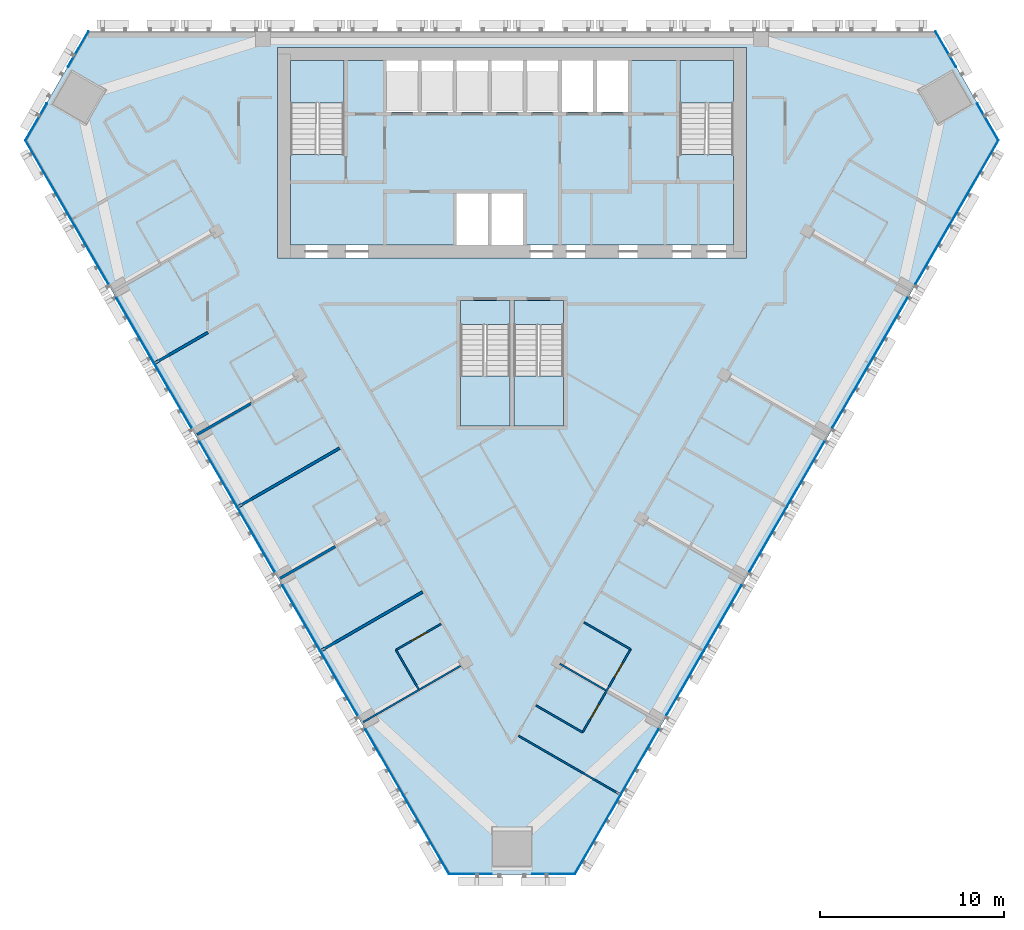
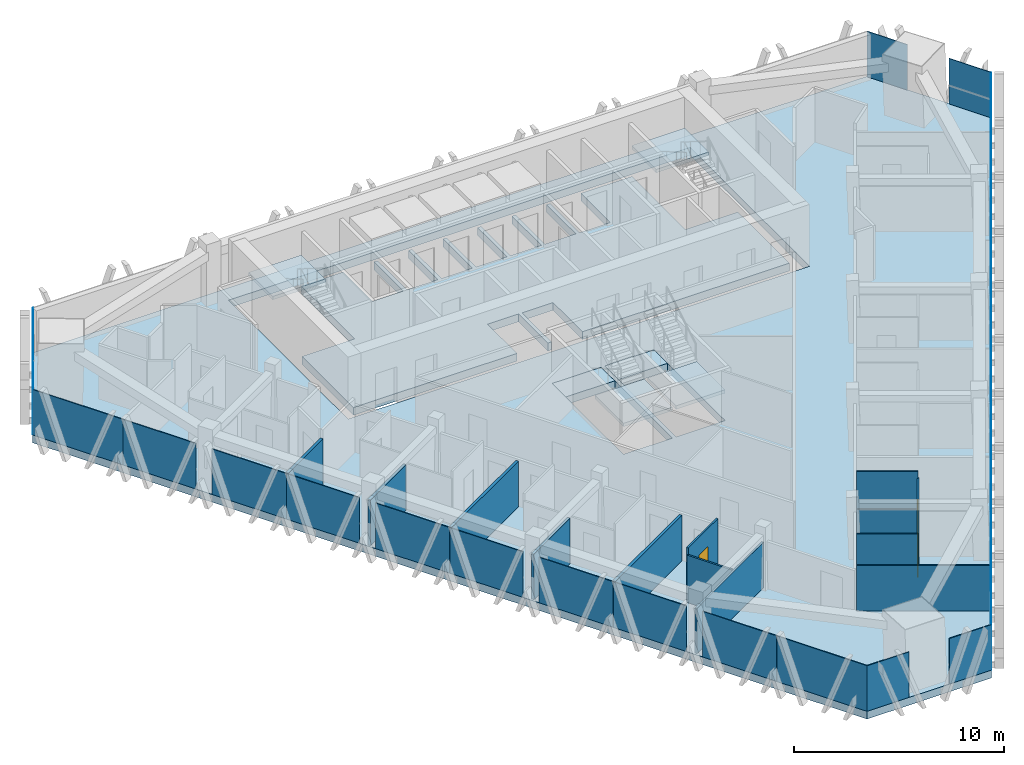
# One storey, part 8 of 16: 26 plates, 13 walls, 8 slabs, 3 doors, 3 openings, 9 elements without a shape of their own.
"""IFC4 building model written with IfcOpenShell, lengths in metres."""

from ifc_helpers import new_model, si_unit, direction, frame, frame_2d, origin, origin_2d, place, context, subcontext, project, spatial, polyline, rectangle, outline, extrude, material, layer, layer_set, type_object, element, fill, aggregate, save


model = new_model("IFC4")

# Units and contexts
model_context = context("Model", 3, precision=1e-05, world=origin(), true_north=direction((0.0, 1.0)))
body_context = subcontext(model_context, "Body", "Model", "MODEL_VIEW")
ifc_project = project(units=[si_unit("LENGTHUNIT", "METRE"), si_unit("AREAUNIT", "SQUARE_METRE"), si_unit("VOLUMEUNIT", "CUBIC_METRE"), si_unit("PLANEANGLEUNIT", "RADIAN"), si_unit("MASSUNIT", "GRAM", prefix="KILO")], contexts=[model_context])

# Site, building, storey
site_placement = place(None, origin())
site = spatial("IfcSite", under=ifc_project, at=site_placement, CompositionType="ELEMENT")
building_placement = place(site_placement, origin())
building = spatial("IfcBuilding", under=site, at=building_placement, Name="Altiplano Prism Tower", CompositionType="ELEMENT")
storey_placement = place(building_placement, frame((0.0, 0.0, 174.60009765625)))
storey = spatial("IfcBuildingStorey", under=building, at=storey_placement, Name="L45", CompositionType="ELEMENT", Elevation=174.60009765625)

# Curtain wall, plates
ifc_material_1 = material(Name="Aluminium and glass", Category="aluminium")
ifc_layer_1 = layer(ifc_material_1, 0.280029296875)
ifc_layer_set_1 = layer_set([ifc_layer_1], Name="Aluminium and glass")
curtain_wall_type = type_object("IfcCurtainWallType", Name="CW1 typical co-living unitised curtain wall", PredefinedType="NOTDEFINED", material=ifc_layer_set_1)
curtain_wall_1_placement = place(storey_placement, origin())
curtain_wall_1 = element("IfcCurtainWall", 1, at=curtain_wall_1_placement, inside=storey, type_object=curtain_wall_type, Name="CW1 curtain wall north-west chamfer L45", PredefinedType="NOTDEFINED")
ifc_material_2 = material(Name="Clear glass", Category="glass")
ifc_layer_2 = layer(ifc_material_2, 0.0400390625)
ifc_layer_set_2 = layer_set([ifc_layer_2], Name="Clear glass")
plate_type = type_object("IfcPlateType", Name="CW1 insulated glass unit 40", PredefinedType="CURTAIN_PANEL", material=ifc_layer_set_2)
plate_1_placement = place(storey_placement, frame((61.487060546875, 104.01904296875, 0.0), z_axis=(0.0, 0.0, 1.0), x_axis=(-0.500000020073, -0.866025392195, 0.0)))
plate_1 = element("IfcPlate", 2, at=plate_1_placement, type_object=plate_type, Name="CW1 panel", PredefinedType="CURTAIN_PANEL", context=body_context, shape_type="SweptSolid", body=[
    extrude(rectangle(XDim=2.232177734375, YDim=0.0400390625, at=origin_2d()), origin(), (0.0, 0.0, 1.0), 2.64990234375),
])
plate_2_placement = place(storey_placement, frame((59.2060546875, 100.068359375, 0.0), z_axis=(0.0, 0.0, 1.0), x_axis=(-0.500000020073, -0.866025392195, 0.0)))
plate_2 = element("IfcPlate", 3, at=plate_2_placement, type_object=plate_type, Name="CW1 panel", PredefinedType="CURTAIN_PANEL", context=body_context, shape_type="SweptSolid", body=[
    extrude(rectangle(XDim=2.312255859375, YDim=0.0400390625, at=origin_2d()), origin(), (0.0, 0.0, 1.0), 2.64990234375),
])
aggregate(curtain_wall_1, [plate_1, plate_2])

curtain_wall_2_placement = place(storey_placement, origin())
curtain_wall_2 = element("IfcCurtainWall", 4, at=curtain_wall_2_placement, inside=storey, type_object=curtain_wall_type, Name="CW1 curtain wall south-west face L45", PredefinedType="NOTDEFINED")
plate_3_placement = place(storey_placement, frame((59.867919921875, 96.9306640625, 0.0), z_axis=(0.0, 0.0, 1.0), x_axis=(0.499999994181, -0.866025407144, 0.0)))
plate_3 = element("IfcPlate", 5, at=plate_3_placement, type_object=plate_type, Name="CW1 panel", PredefinedType="CURTAIN_PANEL", context=body_context, shape_type="SweptSolid", body=[
    extrude(rectangle(XDim=4.959716796875, YDim=0.0400390625, at=origin_2d()), origin(), (0.0, 0.0, 1.0), 2.64990234375),
])
plate_4_placement = place(storey_placement, frame((62.115478515625, 93.037841796875, 0.0), z_axis=(0.0, 0.0, 1.0), x_axis=(0.499999994181, -0.866025407144, 0.0)))
plate_4 = element("IfcPlate", 6, at=plate_4_placement, type_object=plate_type, Name="CW1 panel", PredefinedType="CURTAIN_PANEL", context=body_context, shape_type="SweptSolid", body=[
    extrude(rectangle(XDim=4.010498046875, YDim=0.0400390625, at=origin_2d()), origin(), (0.0, 0.0, 1.0), 2.64990234375),
])
plate_5_placement = place(storey_placement, frame((64.58544921875, 88.759765625, 0.0), z_axis=(0.0, 0.0, 1.0), x_axis=(0.499999994181, -0.866025407144, 0.0)))
plate_5 = element("IfcPlate", 7, at=plate_5_placement, type_object=plate_type, Name="CW1 panel", PredefinedType="CURTAIN_PANEL", context=body_context, shape_type="SweptSolid", body=[
    extrude(rectangle(XDim=4.08935546875, YDim=0.0400390625, at=origin_2d()), origin(), (0.0, 0.0, 1.0), 2.64990234375),
])
plate_6_placement = place(storey_placement, frame((66.615478515625, 85.24365234375, 0.0), z_axis=(0.0, 0.0, 1.0), x_axis=(0.499999994181, -0.866025407144, 0.0)))
plate_6 = element("IfcPlate", 8, at=plate_6_placement, type_object=plate_type, Name="CW1 panel", PredefinedType="CURTAIN_PANEL", context=body_context, shape_type="SweptSolid", body=[
    extrude(rectangle(XDim=4.010498046875, YDim=0.0400390625, at=origin_2d()), origin(), (0.0, 0.0, 1.0), 2.64990234375),
])
plate_7_placement = place(storey_placement, frame((69.08544921875, 80.965576171875, 0.0), z_axis=(0.0, 0.0, 1.0), x_axis=(0.499999994181, -0.866025407144, 0.0)))
plate_7 = element("IfcPlate", 9, at=plate_7_placement, type_object=plate_type, Name="CW1 panel", PredefinedType="CURTAIN_PANEL", context=body_context, shape_type="SweptSolid", body=[
    extrude(rectangle(XDim=4.08935546875, YDim=0.0400390625, at=origin_2d()), origin(), (0.0, 0.0, 1.0), 2.64990234375),
])
plate_8_placement = place(storey_placement, frame((71.115478515625, 77.449462890625, 0.0), z_axis=(0.0, 0.0, 1.0), x_axis=(0.499999994181, -0.866025407144, 0.0)))
plate_8 = element("IfcPlate", 10, at=plate_8_placement, type_object=plate_type, Name="CW1 panel", PredefinedType="CURTAIN_PANEL", context=body_context, shape_type="SweptSolid", body=[
    extrude(rectangle(XDim=4.010498046875, YDim=0.0400390625, at=origin_2d()), origin(), (0.0, 0.0, 1.0), 2.64990234375),
])
plate_9_placement = place(storey_placement, frame((73.58544921875, 73.171142578125, 0.0), z_axis=(0.0, 0.0, 1.0), x_axis=(0.499999994181, -0.866025407144, 0.0)))
plate_9 = element("IfcPlate", 11, at=plate_9_placement, type_object=plate_type, Name="CW1 panel", PredefinedType="CURTAIN_PANEL", context=body_context, shape_type="SweptSolid", body=[
    extrude(rectangle(XDim=4.08935546875, YDim=0.0400390625, at=origin_2d()), origin(), (0.0, 0.0, 1.0), 2.64990234375),
])
plate_10_placement = place(storey_placement, frame((75.615478515625, 69.6552734375, 0.0), z_axis=(0.0, 0.0, 1.0), x_axis=(0.499999994181, -0.866025407144, 0.0)))
plate_10 = element("IfcPlate", 12, at=plate_10_placement, type_object=plate_type, Name="CW1 panel", PredefinedType="CURTAIN_PANEL", context=body_context, shape_type="SweptSolid", body=[
    extrude(rectangle(XDim=4.010498046875, YDim=0.0400390625, at=origin_2d()), origin(), (0.0, 0.0, 1.0), 2.64990234375),
])
plate_11_placement = place(storey_placement, frame((78.08544921875, 65.376953125, 0.0), z_axis=(0.0, 0.0, 1.0), x_axis=(0.499999994181, -0.866025407144, 0.0)))
plate_11 = element("IfcPlate", 13, at=plate_11_placement, type_object=plate_type, Name="CW1 panel", PredefinedType="CURTAIN_PANEL", context=body_context, shape_type="SweptSolid", body=[
    extrude(rectangle(XDim=4.08935546875, YDim=0.0400390625, at=origin_2d()), origin(), (0.0, 0.0, 1.0), 2.64990234375),
])
plate_12_placement = place(storey_placement, frame((80.352783203125, 61.449951171875, 0.0), z_axis=(0.0, 0.0, 1.0), x_axis=(0.499999994181, -0.866025407144, 0.0)))
plate_12 = element("IfcPlate", 14, at=plate_12_placement, type_object=plate_type, Name="CW1 panel", PredefinedType="CURTAIN_PANEL", context=body_context, shape_type="SweptSolid", body=[
    extrude(rectangle(XDim=4.959716796875, YDim=0.0400390625, at=origin_2d()), origin(), (0.0, 0.0, 1.0), 2.64990234375),
])
aggregate(curtain_wall_2, [plate_3, plate_4, plate_5, plate_6, plate_7, plate_8, plate_9, plate_10, plate_11, plate_12])

curtain_wall_3_placement = place(storey_placement, origin())
curtain_wall_3 = element("IfcCurtainWall", 15, at=curtain_wall_3_placement, inside=storey, type_object=curtain_wall_type, Name="CW1 curtain wall south chamfer L45", PredefinedType="NOTDEFINED")
plate_13_placement = place(storey_placement, frame((82.739013671875, 59.30810546875, 0.0), z_axis=(0.0, 0.0, 1.0), x_axis=(1.0, 0.0, 0.0)))
plate_13 = element("IfcPlate", 16, at=plate_13_placement, type_object=plate_type, Name="CW1 panel", PredefinedType="CURTAIN_PANEL", context=body_context, shape_type="SweptSolid", body=[
    extrude(rectangle(XDim=2.31201171875, YDim=0.0400390625, at=origin_2d()), origin(), (0.0, 0.0, 1.0), 2.64990234375),
])
plate_14_placement = place(storey_placement, frame((87.260986328125, 59.30810546875, 0.0), z_axis=(0.0, 0.0, 1.0), x_axis=(1.0, 0.0, 0.0)))
plate_14 = element("IfcPlate", 17, at=plate_14_placement, type_object=plate_type, Name="CW1 panel", PredefinedType="CURTAIN_PANEL", context=body_context, shape_type="SweptSolid", body=[
    extrude(rectangle(XDim=2.31201171875, YDim=0.0400390625, at=origin_2d()), origin(), (0.0, 0.0, 1.0), 2.64990234375),
])
aggregate(curtain_wall_3, [plate_13, plate_14])

curtain_wall_4_placement = place(storey_placement, origin())
curtain_wall_4 = element("IfcCurtainWall", 18, at=curtain_wall_4_placement, inside=storey, type_object=curtain_wall_type, Name="CW1 curtain wall south-east face L45", PredefinedType="NOTDEFINED")
plate_15_placement = place(storey_placement, frame((89.647216796875, 61.449951171875, 0.0), z_axis=(0.0, 0.0, 1.0), x_axis=(0.499999994181, 0.866025407144, 0.0)))
plate_15 = element("IfcPlate", 19, at=plate_15_placement, type_object=plate_type, Name="CW1 panel", PredefinedType="CURTAIN_PANEL", context=body_context, shape_type="SweptSolid", body=[
    extrude(rectangle(XDim=4.959716796875, YDim=0.0400390625, at=origin_2d()), origin(), (0.0, 0.0, 1.0), 2.64990234375),
])
plate_16_placement = place(storey_placement, frame((91.91455078125, 65.376953125, 0.0), z_axis=(0.0, 0.0, 1.0), x_axis=(0.499999994181, 0.866025407144, 0.0)))
plate_16 = element("IfcPlate", 20, at=plate_16_placement, type_object=plate_type, Name="CW1 panel", PredefinedType="CURTAIN_PANEL", context=body_context, shape_type="SweptSolid", body=[
    extrude(rectangle(XDim=4.08935546875, YDim=0.0400390625, at=origin_2d()), origin(), (0.0, 0.0, 1.0), 2.64990234375),
])
plate_17_placement = place(storey_placement, frame((94.384521484375, 69.6552734375, 0.0), z_axis=(0.0, 0.0, 1.0), x_axis=(0.499999994181, 0.866025407144, 0.0)))
plate_17 = element("IfcPlate", 21, at=plate_17_placement, type_object=plate_type, Name="CW1 panel", PredefinedType="CURTAIN_PANEL", context=body_context, shape_type="SweptSolid", body=[
    extrude(rectangle(XDim=4.010498046875, YDim=0.0400390625, at=origin_2d()), origin(), (0.0, 0.0, 1.0), 2.64990234375),
])
plate_18_placement = place(storey_placement, frame((96.41455078125, 73.171142578125, 0.0), z_axis=(0.0, 0.0, 1.0), x_axis=(0.499999994181, 0.866025407144, 0.0)))
plate_18 = element("IfcPlate", 22, at=plate_18_placement, type_object=plate_type, Name="CW1 panel", PredefinedType="CURTAIN_PANEL", context=body_context, shape_type="SweptSolid", body=[
    extrude(rectangle(XDim=4.08935546875, YDim=0.0400390625, at=origin_2d()), origin(), (0.0, 0.0, 1.0), 2.64990234375),
])
plate_19_placement = place(storey_placement, frame((98.884521484375, 77.449462890625, 0.0), z_axis=(0.0, 0.0, 1.0), x_axis=(0.499999994181, 0.866025407144, 0.0)))
plate_19 = element("IfcPlate", 23, at=plate_19_placement, type_object=plate_type, Name="CW1 panel", PredefinedType="CURTAIN_PANEL", context=body_context, shape_type="SweptSolid", body=[
    extrude(rectangle(XDim=4.010498046875, YDim=0.0400390625, at=origin_2d()), origin(), (0.0, 0.0, 1.0), 2.64990234375),
])
plate_20_placement = place(storey_placement, frame((100.91455078125, 80.965576171875, 0.0), z_axis=(0.0, 0.0, 1.0), x_axis=(0.499999994181, 0.866025407144, 0.0)))
plate_20 = element("IfcPlate", 24, at=plate_20_placement, type_object=plate_type, Name="CW1 panel", PredefinedType="CURTAIN_PANEL", context=body_context, shape_type="SweptSolid", body=[
    extrude(rectangle(XDim=4.08935546875, YDim=0.0400390625, at=origin_2d()), origin(), (0.0, 0.0, 1.0), 2.64990234375),
])
plate_21_placement = place(storey_placement, frame((103.384521484375, 85.24365234375, 0.0), z_axis=(0.0, 0.0, 1.0), x_axis=(0.499999994181, 0.866025407144, 0.0)))
plate_21 = element("IfcPlate", 25, at=plate_21_placement, type_object=plate_type, Name="CW1 panel", PredefinedType="CURTAIN_PANEL", context=body_context, shape_type="SweptSolid", body=[
    extrude(rectangle(XDim=4.010498046875, YDim=0.0400390625, at=origin_2d()), origin(), (0.0, 0.0, 1.0), 2.64990234375),
])
plate_22_placement = place(storey_placement, frame((105.41455078125, 88.759765625, 0.0), z_axis=(0.0, 0.0, 1.0), x_axis=(0.499999994181, 0.866025407144, 0.0)))
plate_22 = element("IfcPlate", 26, at=plate_22_placement, type_object=plate_type, Name="CW1 panel", PredefinedType="CURTAIN_PANEL", context=body_context, shape_type="SweptSolid", body=[
    extrude(rectangle(XDim=4.08935546875, YDim=0.0400390625, at=origin_2d()), origin(), (0.0, 0.0, 1.0), 2.64990234375),
])
plate_23_placement = place(storey_placement, frame((107.884521484375, 93.037841796875, 0.0), z_axis=(0.0, 0.0, 1.0), x_axis=(0.499999994181, 0.866025407144, 0.0)))
plate_23 = element("IfcPlate", 27, at=plate_23_placement, type_object=plate_type, Name="CW1 panel", PredefinedType="CURTAIN_PANEL", context=body_context, shape_type="SweptSolid", body=[
    extrude(rectangle(XDim=4.010498046875, YDim=0.0400390625, at=origin_2d()), origin(), (0.0, 0.0, 1.0), 2.64990234375),
])
plate_24_placement = place(storey_placement, frame((110.132080078125, 96.930908203125, 0.0), z_axis=(0.0, 0.0, 1.0), x_axis=(0.499999994181, 0.866025407144, 0.0)))
plate_24 = element("IfcPlate", 28, at=plate_24_placement, type_object=plate_type, Name="CW1 panel", PredefinedType="CURTAIN_PANEL", context=body_context, shape_type="SweptSolid", body=[
    extrude(rectangle(XDim=4.959716796875, YDim=0.0400390625, at=origin_2d()), origin(), (0.0, 0.0, 1.0), 2.64990234375),
])
aggregate(curtain_wall_4, [plate_15, plate_16, plate_17, plate_18, plate_19, plate_20, plate_21, plate_22, plate_23, plate_24])

curtain_wall_5_placement = place(storey_placement, origin())
curtain_wall_5 = element("IfcCurtainWall", 29, at=curtain_wall_5_placement, inside=storey, type_object=curtain_wall_type, Name="CW1 curtain wall north-east chamfer L45", PredefinedType="NOTDEFINED")
plate_25_placement = place(storey_placement, frame((110.7939453125, 100.068359375, 0.0), z_axis=(0.0, 0.0, 1.0), x_axis=(-0.500000020073, 0.866025392195, 0.0)))
plate_25 = element("IfcPlate", 30, at=plate_25_placement, type_object=plate_type, Name="CW1 panel", PredefinedType="CURTAIN_PANEL", context=body_context, shape_type="SweptSolid", body=[
    extrude(rectangle(XDim=2.312255859375, YDim=0.0400390625, at=origin_2d()), origin(), (0.0, 0.0, 1.0), 2.64990234375),
])
plate_26_placement = place(storey_placement, frame((108.512939453125, 104.01904296875, 0.0), z_axis=(0.0, 0.0, 1.0), x_axis=(-0.500000020073, 0.866025392195, 0.0)))
plate_26 = element("IfcPlate", 31, at=plate_26_placement, type_object=plate_type, Name="CW1 panel", PredefinedType="CURTAIN_PANEL", context=body_context, shape_type="SweptSolid", body=[
    extrude(rectangle(XDim=2.232177734375, YDim=0.0400390625, at=origin_2d()), origin(), (0.0, 0.0, 1.0), 2.64990234375),
])
aggregate(curtain_wall_5, [plate_25, plate_26])

# Slabs
ifc_material_3 = material(Name="Concrete C40/50", Category="concrete")
ifc_layer_3 = layer(ifc_material_3, 0.449951171875)
ifc_layer_set_3 = layer_set([ifc_layer_3], Name="Concrete C40/50")
slab_type_1 = type_object("IfcSlabType", Name="Core floor slab 450", PredefinedType="FLOOR", material=ifc_layer_set_3)
slab_1_placement = place(storey_placement, frame((0.0, 0.0, -0.4501953125)))
element("IfcSlab", 32, at=slab_1_placement, inside=storey, type_object=slab_type_1, Name="Core floor slab L45", PredefinedType="FLOOR", context=body_context, shape_type="SweptSolid", body=[
    extrude(outline(polyline([(97.0, 98.31005859375), (94.10009765625, 98.31005859375), (94.10009765625, 103.39990234375), (91.300048828125, 103.39990234375), (91.300048828125, 100.60009765625), (89.60009765625, 100.60009765625), (89.60009765625, 103.39990234375), (89.39990234375, 103.39990234375), (89.39990234375, 100.60009765625), (87.699951171875, 100.60009765625), (87.699951171875, 103.39990234375), (87.5, 103.39990234375), (87.5, 100.60009765625), (85.800048828125, 100.60009765625), (85.800048828125, 103.39990234375), (85.60009765625, 103.39990234375), (85.60009765625, 100.60009765625), (83.89990234375, 100.60009765625), (83.89990234375, 103.39990234375), (83.699951171875, 103.39990234375), (83.699951171875, 100.60009765625), (82.0, 100.60009765625), (82.0, 103.39990234375), (81.800048828125, 103.39990234375), (81.800048828125, 100.60009765625), (80.10009765625, 100.60009765625), (80.10009765625, 103.39990234375), (79.89990234375, 103.39990234375), (79.89990234375, 100.60009765625), (78.199951171875, 100.60009765625), (78.199951171875, 103.39990234375), (75.89990234375, 103.39990234375), (75.89990234375, 98.31005859375), (73.0, 98.31005859375), (73.0, 93.39990234375), (82.0, 93.39990234375), (82.0, 96.199951171875), (83.699951171875, 96.199951171875), (83.699951171875, 93.39990234375), (83.89990234375, 93.39990234375), (83.89990234375, 96.199951171875), (85.60009765625, 96.199951171875), (85.60009765625, 93.39990234375), (97.0, 93.39990234375), (97.0, 98.31005859375)])), origin(), (0.0, 0.0, 1.0), 0.4501953125),
])
slab_2_placement = place(storey_placement, frame((0.0, 0.0, -0.4501953125)))
element("IfcSlab", 33, at=slab_2_placement, inside=storey, type_object=slab_type_1, Name="Stair 3A landing slab L45", PredefinedType="FLOOR", context=body_context, shape_type="SweptSolid", body=[
    extrude(outline(polyline([(82.199951171875, 89.096923828125), (84.89990234375, 89.096923828125), (84.89990234375, 90.39990234375), (82.199951171875, 90.39990234375), (82.199951171875, 89.096923828125)])), origin(), (0.0, 0.0, 1.0), 0.4501953125),
])
slab_3_placement = place(storey_placement, frame((0.0, 0.0, -0.4501953125)))
element("IfcSlab", 34, at=slab_3_placement, inside=storey, type_object=slab_type_1, Name="Stair 3B landing slab L45", PredefinedType="FLOOR", context=body_context, shape_type="SweptSolid", body=[
    extrude(outline(polyline([(85.10009765625, 89.096923828125), (87.800048828125, 89.096923828125), (87.800048828125, 90.39990234375), (85.10009765625, 90.39990234375), (85.10009765625, 89.096923828125)])), origin(), (0.0, 0.0, 1.0), 0.4501953125),
])
ifc_layer_4 = layer(ifc_material_3, 0.449951171875)
ifc_layer_set_4 = layer_set([ifc_layer_4], Name="Concrete C40/50")
slab_type_2 = type_object("IfcSlabType", Name="Post-tensioned flat slab 450", PredefinedType="FLOOR", material=ifc_layer_set_4)
slab_4_placement = place(storey_placement, frame((0.0, 0.0, -0.4501953125)))
element("IfcSlab", 35, at=slab_4_placement, inside=storey, type_object=slab_type_2, Name="Floor slab L45", PredefinedType="FLOOR", context=body_context, shape_type="SweptSolid", body=[
    extrude(outline(polyline([(81.577880859375, 59.2880859375), (58.608154296875, 99.07275390625), (62.0302734375, 105.0), (107.9697265625, 105.0), (111.391845703125, 99.07275390625), (88.422119140625, 59.2880859375), (81.577880859375, 59.2880859375)]), holes=[polyline([(72.300048828125, 104.10009765625), (72.300048828125, 92.699951171875), (97.699951171875, 92.699951171875), (97.699951171875, 104.10009765625), (72.300048828125, 104.10009765625)]), polyline([(84.89990234375, 90.39990234375), (82.199951171875, 90.39990234375), (82.199951171875, 83.60009765625), (84.89990234375, 83.60009765625), (84.89990234375, 90.39990234375)]), polyline([(87.800048828125, 83.60009765625), (87.800048828125, 90.39990234375), (85.10009765625, 90.39990234375), (85.10009765625, 83.60009765625), (87.800048828125, 83.60009765625)])]), origin(), (0.0, 0.0, 1.0), 0.4501953125),
])

# Stair, slab
stair_type_1 = type_object("IfcStairType", Name="Exit stair 1400", PredefinedType="HALF_TURN_STAIR", material=ifc_material_3)
stair_1_placement = place(storey_placement, origin())
stair_1 = element("IfcStair", 36, at=stair_1_placement, inside=storey, type_object=stair_type_1, Name="L45 Exit Stair 1", PredefinedType="HALF_TURN_STAIR")
ifc_layer_5 = layer(ifc_material_3, 0.199951171875)
ifc_layer_set_5 = layer_set([ifc_layer_5], Name="Concrete C40/50")
slab_type_3 = type_object("IfcSlabType", Name="Stair landing 200", PredefinedType="LANDING", material=ifc_layer_set_5)
slab_5_placement = place(storey_placement, frame((0.0, 0.0, 1.599853515625)))
slab_5 = element("IfcSlab", 37, at=slab_5_placement, type_object=slab_type_3, Name="ST1 landing 1", PredefinedType="LANDING", context=body_context, shape_type="SweptSolid", body=[
    extrude(outline(polyline([(75.89990234375, 101.096923828125), (75.89990234375, 103.39990234375), (73.0, 103.39990234375), (73.0, 101.096923828125), (75.89990234375, 101.096923828125)])), origin(), (0.0, 0.0, 1.0), 0.199951171875),
])
aggregate(stair_1, [slab_5])

stair_2_placement = place(storey_placement, origin())
stair_2 = element("IfcStair", 38, at=stair_2_placement, inside=storey, type_object=stair_type_1, Name="L45 Exit Stair 2", PredefinedType="HALF_TURN_STAIR")
slab_6_placement = place(storey_placement, frame((0.0, 0.0, 1.599853515625)))
slab_6 = element("IfcSlab", 39, at=slab_6_placement, type_object=slab_type_3, Name="ST2 landing 1", PredefinedType="LANDING", context=body_context, shape_type="SweptSolid", body=[
    extrude(outline(polyline([(97.0, 101.096923828125), (97.0, 103.39990234375), (94.10009765625, 103.39990234375), (94.10009765625, 101.096923828125), (97.0, 101.096923828125)])), origin(), (0.0, 0.0, 1.0), 0.199951171875),
])
aggregate(stair_2, [slab_6])

stair_type_2 = type_object("IfcStairType", Name="Exit stair 1300", PredefinedType="HALF_TURN_STAIR", material=ifc_material_3)
stair_3_placement = place(storey_placement, origin())
stair_3 = element("IfcStair", 40, at=stair_3_placement, inside=storey, type_object=stair_type_2, Name="L45 Exit Stair 3A", PredefinedType="HALF_TURN_STAIR")
slab_7_placement = place(storey_placement, frame((0.0, 0.0, 1.599853515625)))
slab_7 = element("IfcSlab", 41, at=slab_7_placement, type_object=slab_type_3, Name="ST3A landing 1", PredefinedType="LANDING", context=body_context, shape_type="SweptSolid", body=[
    extrude(outline(polyline([(82.199951171875, 86.302978515625), (82.199951171875, 83.60009765625), (84.89990234375, 83.60009765625), (84.89990234375, 86.302978515625), (82.199951171875, 86.302978515625)])), origin(), (0.0, 0.0, 1.0), 0.199951171875),
])
aggregate(stair_3, [slab_7])

stair_4_placement = place(storey_placement, origin())
stair_4 = element("IfcStair", 42, at=stair_4_placement, inside=storey, type_object=stair_type_2, Name="L45 Exit Stair 3B", PredefinedType="HALF_TURN_STAIR")
slab_8_placement = place(storey_placement, frame((0.0, 0.0, 1.599853515625)))
slab_8 = element("IfcSlab", 43, at=slab_8_placement, type_object=slab_type_3, Name="ST3B landing 1", PredefinedType="LANDING", context=body_context, shape_type="SweptSolid", body=[
    extrude(outline(polyline([(85.10009765625, 86.302978515625), (85.10009765625, 83.60009765625), (87.800048828125, 83.60009765625), (87.800048828125, 86.302978515625), (85.10009765625, 86.302978515625)])), origin(), (0.0, 0.0, 1.0), 0.199951171875),
])
aggregate(stair_4, [slab_8])

# Wall
ifc_material_4 = material(Name="Plasterboard on steel stud", Category="steel")
ifc_layer_6 = layer(ifc_material_4, 0.10009765625)
ifc_layer_set_6 = layer_set([ifc_layer_6], Name="Plasterboard on steel stud")
wall_type_1 = type_object("IfcWallType", Name="Partition 100 unit", PredefinedType="PARTITIONING", material=ifc_layer_set_6)
wall_1_placement = place(storey_placement, frame((79.935791015625, 69.332275390625, 0.0), z_axis=(0.0, 0.0, 1.0), x_axis=(-0.500018594424, 0.866014668023, 0.0)))
element("IfcWall", 44, at=wall_1_placement, inside=storey, type_object=wall_type_1, Name="Partition P02 L45 061", PredefinedType="PARTITIONING", context=body_context, shape_type="SweptSolid", body=[
    extrude(rectangle(XDim=2.4501953125, YDim=0.10009765625, at=frame_2d((1.22509765625, 0.0))), origin(), (0.0, 0.0, 1.0), 2.75),
])

# Wall, opening, door
wall_2_placement = place(storey_placement, frame((78.710693359375, 71.4541015625, 0.0), z_axis=(0.0, 0.0, 1.0), x_axis=(0.866011447264, 0.500024172624, 0.0)))
wall_2 = element("IfcWall", 45, at=wall_2_placement, inside=storey, type_object=wall_type_1, Name="Partition P02 L45 062", PredefinedType="PARTITIONING", context=body_context, shape_type="SweptSolid", body=[
    extrude(rectangle(XDim=2.824951171875, YDim=0.10009765625, at=frame_2d((1.41259765625, 0.0))), origin(), (0.0, 0.0, 1.0), 3.14990234375),
])
opening_1_placement = place(wall_2_placement, frame((1.0, 0.0, 0.0)))
opening_1 = element("IfcOpeningElement", 46, at=opening_1_placement, cuts=wall_2, Name="Opening D1592", PredefinedType="OPENING", context=body_context, shape_type="SweptSolid", body=[
    extrude(rectangle(XDim=0.89990234375, YDim=2.10009765625, at=frame_2d((0.449951171875, 1.050048828125))), frame((0.0, 0.060546875, 0.0), z_axis=(0.0, -1.0, 0.0), x_axis=(1.0, 0.0, 0.0)), (0.0, 0.0, 1.0), 0.12109375),
])
ifc_material_5 = material(Name="Timber", Category="wood")
door_type = type_object("IfcDoorType", Name="Ensuite door 900 x 2100", OperationType="NOTDEFINED", PredefinedType="NOTDEFINED", material=ifc_material_5)
door_1_placement = place(opening_1_placement, origin())
door_1 = element("IfcDoor", 47, at=door_1_placement, inside=storey, type_object=door_type, Name="Door D1592", OperationType="SINGLE_SWING_RIGHT", OverallHeight=2.10009765625, OverallWidth=0.89990234375, PredefinedType="NOTDEFINED", context=body_context, shape_type="SweptSolid", body=[
    extrude(rectangle(XDim=0.89990234375, YDim=2.10009765625, at=frame_2d((0.449951171875, 1.050048828125))), frame((0.0, 0.02490234375, 0.0), z_axis=(0.0, -1.0, 0.0), x_axis=(1.0, 0.0, 0.0)), (0.0, 0.0, 1.0), 0.050048828125),
])
fill(opening_1, door_1)

# Walls
wall_3_placement = place(storey_placement, frame((88.825927734375, 66.9873046875, 0.0), z_axis=(0.0, 0.0, 1.0), x_axis=(-0.86601045545, 0.500025890382, 0.0)))
element("IfcWall", 48, at=wall_3_placement, inside=storey, type_object=wall_type_1, Name="Partition P02 L45 065", PredefinedType="PARTITIONING", context=body_context, shape_type="SweptSolid", body=[
    extrude(rectangle(XDim=2.925048828125, YDim=0.10009765625, at=frame_2d((1.46240234375, 0.0))), origin(), (0.0, 0.0, 1.0), 3.14990234375),
])
wall_4_placement = place(storey_placement, frame((88.892822265625, 72.953125, 0.0), z_axis=(0.0, 0.0, 1.0), x_axis=(0.866025730634, -0.499999433879, 0.0)))
element("IfcWall", 49, at=wall_4_placement, inside=storey, type_object=wall_type_1, Name="Partition P02 L45 068", PredefinedType="PARTITIONING", context=body_context, shape_type="SweptSolid", body=[
    extrude(rectangle(XDim=2.9248046875, YDim=0.10009765625, at=frame_2d((1.46240234375, 0.0))), origin(), (0.0, 0.0, 1.0), 3.14990234375),
])

# Wall, openings, doors
wall_5_placement = place(storey_placement, frame((91.42578125, 71.49072265625, 0.0), z_axis=(0.0, 0.0, 1.0), x_axis=(-0.499971721724, -0.866041729639, 0.0)))
wall_5 = element("IfcWall", 50, at=wall_5_placement, inside=storey, type_object=wall_type_1, Name="Partition P02 L45 069", PredefinedType="PARTITIONING", context=body_context, shape_type="SweptSolid", body=[
    extrude(rectangle(XDim=5.199951171875, YDim=0.10009765625, at=frame_2d((2.60009765625, 0.0))), origin(), (0.0, 0.0, 1.0), 2.75),
])
opening_2_placement = place(wall_5_placement, frame((3.449951171875, 0.0, 0.0)))
opening_2 = element("IfcOpeningElement", 51, at=opening_2_placement, cuts=wall_5, Name="Opening D1595", PredefinedType="OPENING", context=body_context, shape_type="SweptSolid", body=[
    extrude(rectangle(XDim=0.89990234375, YDim=2.10009765625, at=frame_2d((0.449951171875, 1.050048828125))), frame((0.0, 0.060546875, 0.0), z_axis=(0.0, -1.0, 0.0), x_axis=(1.0, 0.0, 0.0)), (0.0, 0.0, 1.0), 0.12109375),
])
opening_3_placement = place(wall_5_placement, frame((0.85009765625, 0.0, 0.0)))
opening_3 = element("IfcOpeningElement", 52, at=opening_3_placement, cuts=wall_5, Name="Opening D1597", PredefinedType="OPENING", context=body_context, shape_type="SweptSolid", body=[
    extrude(rectangle(XDim=0.89990234375, YDim=2.10009765625, at=frame_2d((0.449951171875, 1.050048828125))), frame((0.0, 0.060546875, 0.0), z_axis=(0.0, -1.0, 0.0), x_axis=(1.0, 0.0, 0.0)), (0.0, 0.0, 1.0), 0.12109375),
])
door_2_placement = place(opening_2_placement, origin())
door_2 = element("IfcDoor", 53, at=door_2_placement, inside=storey, type_object=door_type, Name="Door D1595", OperationType="SINGLE_SWING_LEFT", OverallHeight=2.10009765625, OverallWidth=0.89990234375, PredefinedType="NOTDEFINED", context=body_context, shape_type="SweptSolid", body=[
    extrude(rectangle(XDim=0.89990234375, YDim=2.10009765625, at=frame_2d((0.449951171875, 1.050048828125))), frame((0.0, 0.02490234375, 0.0), z_axis=(0.0, -1.0, 0.0), x_axis=(1.0, 0.0, 0.0)), (0.0, 0.0, 1.0), 0.050048828125),
])
fill(opening_2, door_2)
door_3_placement = place(opening_3_placement, origin())
door_3 = element("IfcDoor", 54, at=door_3_placement, inside=storey, type_object=door_type, Name="Door D1597", OperationType="SINGLE_SWING_RIGHT", OverallHeight=2.10009765625, OverallWidth=0.89990234375, PredefinedType="NOTDEFINED", context=body_context, shape_type="SweptSolid", body=[
    extrude(rectangle(XDim=0.89990234375, YDim=2.10009765625, at=frame_2d((0.449951171875, 1.050048828125))), frame((0.0, 0.02490234375, 0.0), z_axis=(0.0, -1.0, 0.0), x_axis=(1.0, 0.0, 0.0)), (0.0, 0.0, 1.0), 0.050048828125),
])
fill(opening_3, door_3)

# Walls
ifc_layer_7 = layer(ifc_material_4, 0.10009765625)
ifc_layer_set_7 = layer_set([ifc_layer_7], Name="Plasterboard on steel stud")
wall_type_2 = type_object("IfcWallType", Name="Partition 100 wet", PredefinedType="PARTITIONING", material=ifc_layer_set_7)
wall_6_placement = place(storey_placement, frame((76.9296875, 67.5390625, 0.0), z_axis=(0.0, 0.0, 1.0), x_axis=(0.866015887322, 0.500016482634, 0.0)))
element("IfcWall", 55, at=wall_6_placement, inside=storey, type_object=wall_type_2, Name="Partition P03 L45 063", PredefinedType="PARTITIONING", context=body_context, shape_type="SweptSolid", body=[
    extrude(rectangle(XDim=6.324951171875, YDim=0.10009765625, at=frame_2d((3.16259765625, 0.0))), origin(), (0.0, 0.0, 1.0), 2.64990234375),
])
wall_7_placement = place(storey_placement, frame((90.837890625, 63.6318359375, 0.0), z_axis=(0.0, 0.0, 1.0), x_axis=(-0.866025401434, 0.500000004071, 0.0)))
element("IfcWall", 56, at=wall_7_placement, inside=storey, type_object=wall_type_2, Name="Partition P03 L45 064", PredefinedType="PARTITIONING", context=body_context, shape_type="SweptSolid", body=[
    extrude(rectangle(XDim=6.34521484375, YDim=0.10009765625, at=frame_2d((3.172607421875, 0.0))), origin(), (0.0, 0.0, 1.0), 2.64990234375),
])
wall_8_placement = place(storey_placement, frame((90.08251953125, 69.26416015625, 0.0), z_axis=(0.0, 0.0, 1.0), x_axis=(-0.866018712932, 0.500011588718, 0.0)))
element("IfcWall", 57, at=wall_8_placement, inside=storey, type_object=wall_type_2, Name="Partition P03 L45 067", PredefinedType="PARTITIONING", context=body_context, shape_type="SweptSolid", body=[
    extrude(rectangle(XDim=2.875, YDim=0.10009765625, at=frame_2d((1.4375, 0.0))), origin(), (0.0, 0.0, 1.0), 2.75),
])
ifc_layer_8 = layer(ifc_material_4, 0.14990234375)
ifc_layer_set_8 = layer_set([ifc_layer_8], Name="Plasterboard on steel stud")
wall_type_3 = type_object("IfcWallType", Name="Partition 150 party", PredefinedType="PARTITIONING", material=ifc_layer_set_8)
wall_9_placement = place(storey_placement, frame((65.662109375, 87.014404296875, 0.0), z_axis=(0.0, 0.0, 1.0), x_axis=(0.866008176907, 0.50002983664, 0.0)))
element("IfcWall", 58, at=wall_9_placement, inside=storey, type_object=wall_type_3, Name="Partition P01 L45 046", PredefinedType="PARTITIONING", context=body_context, shape_type="SweptSolid", body=[
    extrude(rectangle(XDim=3.300048828125, YDim=0.14990234375, at=frame_2d((1.64990234375, 0.0))), origin(), (0.0, 0.0, 1.0), 2.64990234375),
])
wall_10_placement = place(storey_placement, frame((67.9296875, 83.12744140625, 0.0), z_axis=(0.0, 0.0, 1.0), x_axis=(0.866020560687, 0.500008388397, 0.0)))
element("IfcWall", 59, at=wall_10_placement, inside=storey, type_object=wall_type_3, Name="Partition P01 L45 050", PredefinedType="PARTITIONING", context=body_context, shape_type="SweptSolid", body=[
    extrude(rectangle(XDim=3.39990234375, YDim=0.14990234375, at=frame_2d((1.699951171875, 0.0))), origin(), (0.0, 0.0, 1.0), 2.64990234375),
])
wall_11_placement = place(storey_placement, frame((70.162109375, 79.22021484375, 0.0), z_axis=(0.0, 0.0, 1.0), x_axis=(0.866025401434, 0.500000004071, 0.0)))
element("IfcWall", 60, at=wall_11_placement, inside=storey, type_object=wall_type_3, Name="Partition P01 L45 054", PredefinedType="PARTITIONING", context=body_context, shape_type="SweptSolid", body=[
    extrude(rectangle(XDim=6.34521484375, YDim=0.14990234375, at=frame_2d((3.172607421875, 0.0))), origin(), (0.0, 0.0, 1.0), 2.64990234375),
])
wall_12_placement = place(storey_placement, frame((72.4296875, 75.333251953125, 0.0), z_axis=(0.0, 0.0, 1.0), x_axis=(0.866013532718, 0.500020560727, 0.0)))
element("IfcWall", 61, at=wall_12_placement, inside=storey, type_object=wall_type_3, Name="Partition P01 L45 057", PredefinedType="PARTITIONING", context=body_context, shape_type="SweptSolid", body=[
    extrude(rectangle(XDim=3.449951171875, YDim=0.14990234375, at=frame_2d((1.72509765625, 0.0))), origin(), (0.0, 0.0, 1.0), 2.64990234375),
])
wall_13_placement = place(storey_placement, frame((74.662109375, 71.426025390625, 0.0), z_axis=(0.0, 0.0, 1.0), x_axis=(0.866025401434, 0.500000004071, 0.0)))
element("IfcWall", 62, at=wall_13_placement, inside=storey, type_object=wall_type_3, Name="Partition P01 L45 060", PredefinedType="PARTITIONING", context=body_context, shape_type="SweptSolid", body=[
    extrude(rectangle(XDim=6.34521484375, YDim=0.14990234375, at=frame_2d((3.172607421875, 0.0))), origin(), (0.0, 0.0, 1.0), 2.64990234375),
])

save(model, "model.ifc")
